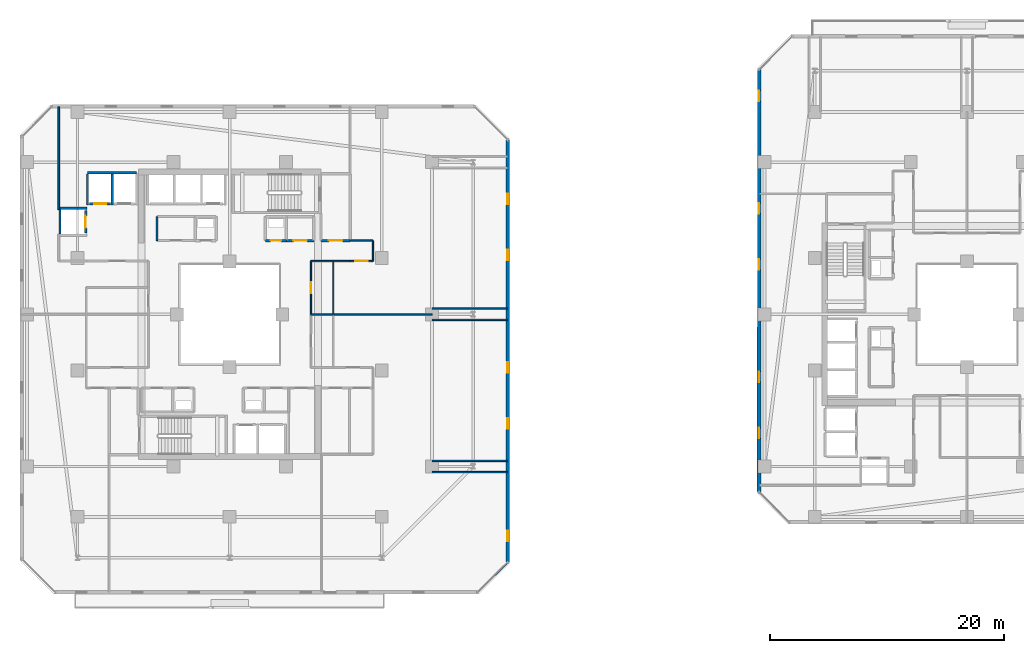
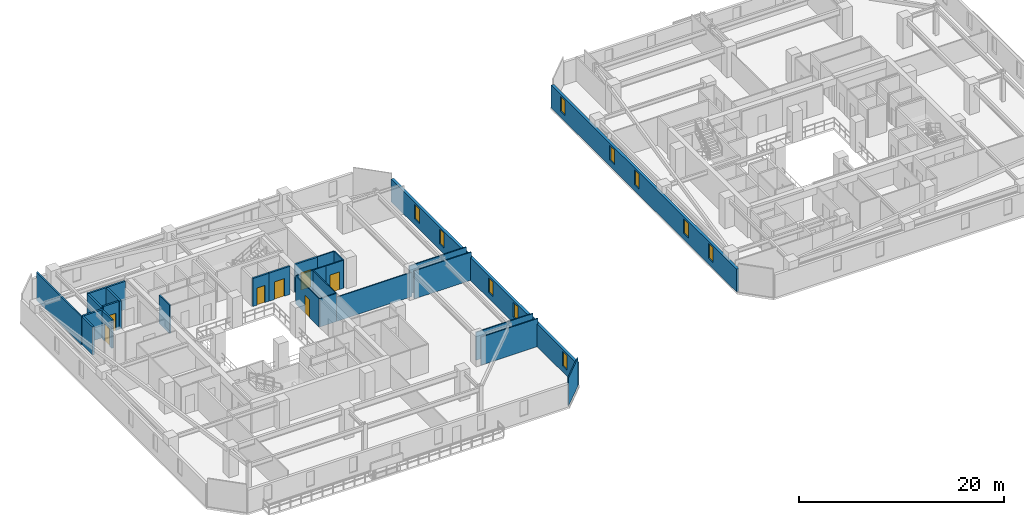
# One storey, part 21 of 33: 28 walls, 10 windows, 7 doors, 17 openings.
"""IFC4 building model written with IfcOpenShell, lengths in metres."""

from ifc_helpers import new_model, si_unit, direction, frame, frame_2d, origin, place, context, subcontext, project, spatial, rectangle, extrude, material, layer, layer_set, type_object, element, fill, save


model = new_model("IFC4")

# Units and contexts
model_context = context("Model", 3, precision=1e-05, world=origin(), true_north=direction((0.0, 1.0)))
body_context = subcontext(model_context, "Body", "Model", "MODEL_VIEW")
ifc_project = project(units=[si_unit("LENGTHUNIT", "METRE"), si_unit("AREAUNIT", "SQUARE_METRE"), si_unit("VOLUMEUNIT", "CUBIC_METRE"), si_unit("PLANEANGLEUNIT", "RADIAN"), si_unit("MASSUNIT", "GRAM", prefix="KILO")], contexts=[model_context])

# Site, building, storey
site_placement = place(None, origin())
site = spatial("IfcSite", under=ifc_project, at=site_placement, CompositionType="ELEMENT")
building_placement = place(site_placement, origin())
building = spatial("IfcBuilding", under=site, at=building_placement, Name="Thornwick Lancets Civic Towers", CompositionType="ELEMENT")
storey_placement = place(building_placement, frame((0.0, 0.0, 167.10009765625)))
storey = spatial("IfcBuildingStorey", under=building, at=storey_placement, Name="L44", CompositionType="ELEMENT", Elevation=167.10009765625)

# Wall, opening, door
ifc_material_1 = material(Name="Concrete blockwork C40/50", Category="masonry")
ifc_layer_1 = layer(ifc_material_1, 0.199951171875, Name="Concrete blockwork C40/50")
ifc_layer_set_1 = layer_set([ifc_layer_1], Name="Concrete blockwork C40/50")
wall_type_1 = type_object("IfcWallType", Name="WALL_COMP_200", PredefinedType="STANDARD", material=ifc_layer_set_1)
wall_1_placement = place(storey_placement, frame((15.320068359375, 36.449951171875, 0.0), z_axis=(0.0, 0.0, 1.0), x_axis=(-1.0, 0.0, 0.0)))
wall_1 = element("IfcWall", 1, at=wall_1_placement, inside=storey, type_object=wall_type_1, Name="L44 Hoistway Front Wall PL-AM2", PredefinedType="STANDARD", context=body_context, shape_type="SweptSolid", body=[
    extrude(rectangle(XDim=1.7900390625, YDim=0.199951171875, at=frame_2d((0.89501953125, 0.0))), origin(), (0.0, 0.0, 1.0), 3.33984375),
])
opening_1_placement = place(wall_1_placement, frame((0.385009765625, 0.0, 0.0)))
opening_1 = element("IfcOpeningElement", 2, at=opening_1_placement, cuts=wall_1, Name="Opening LD-PL-AM2", PredefinedType="OPENING", context=body_context, shape_type="SweptSolid", body=[
    extrude(rectangle(XDim=1.02001953125, YDim=2.06005859375, at=frame_2d((0.510009765625, 1.030029296875))), frame((0.0, 0.10986328125, 0.0), z_axis=(0.0, -1.0, 0.0), x_axis=(1.0, 0.0, 0.0)), (0.0, 0.0, 1.0), 0.219970703125),
])
ifc_material_2 = material(Name="Brushed bronze stainless steel", Category="steel")
door_type_1 = type_object("IfcDoorType", Name="DOOR_LIFT_SLIDE", OperationType="SLIDING_TO_LEFT", PredefinedType="DOOR", material=ifc_material_2)
door_1_placement = place(opening_1_placement, origin())
door_1 = element("IfcDoor", 3, at=door_1_placement, inside=storey, type_object=door_type_1, Name="L44 Sliding Lift Landing Door LD-PL-AM2", OperationType="SLIDING_TO_LEFT", OverallHeight=2.06005859375, OverallWidth=1.02001953125, PredefinedType="DOOR", context=body_context, shape_type="SweptSolid", body=[
    extrude(rectangle(XDim=1.02001953125, YDim=2.06005859375, at=frame_2d((0.510009765625, 1.030029296875))), frame((0.0, 0.02490234375, 0.0), z_axis=(0.0, -1.0, 0.0), x_axis=(1.0, 0.0, 0.0)), (0.0, 0.0, 1.0), 0.050048828125),
])
fill(opening_1, door_1)

wall_2_placement = place(storey_placement, frame((13.199951171875, 33.929931640625, 0.0), z_axis=(0.0, 0.0, 1.0), x_axis=(0.0, 1.0, 0.0)))
wall_2 = element("IfcWall", 4, at=wall_2_placement, inside=storey, type_object=wall_type_1, Name="L44 Hoistway Front Wall PL-AM3", PredefinedType="STANDARD", context=body_context, shape_type="SweptSolid", body=[
    extrude(rectangle(XDim=1.940185546875, YDim=0.199951171875, at=frame_2d((0.97021484375, 0.0))), origin(), (0.0, 0.0, 1.0), 3.33984375),
])
opening_2_placement = place(wall_2_placement, frame((0.4599609375, 0.0, 0.0)))
opening_2 = element("IfcOpeningElement", 5, at=opening_2_placement, cuts=wall_2, Name="Opening LD-PL-AM3", PredefinedType="OPENING", context=body_context, shape_type="SweptSolid", body=[
    extrude(rectangle(XDim=1.02001953125, YDim=2.06005859375, at=frame_2d((0.510009765625, 1.030029296875))), frame((0.0, 0.10986328125, 0.0), z_axis=(0.0, -1.0, 0.0), x_axis=(1.0, 0.0, 0.0)), (0.0, 0.0, 1.0), 0.219970703125),
])
door_2_placement = place(opening_2_placement, origin())
door_2 = element("IfcDoor", 6, at=door_2_placement, inside=storey, type_object=door_type_1, Name="L44 Sliding Lift Landing Door LD-PL-AM3", OperationType="SLIDING_TO_LEFT", OverallHeight=2.06005859375, OverallWidth=1.02001953125, PredefinedType="DOOR", context=body_context, shape_type="SweptSolid", body=[
    extrude(rectangle(XDim=1.02001953125, YDim=2.06005859375, at=frame_2d((0.510009765625, 1.030029296875))), frame((0.0, 0.02490234375, 0.0), z_axis=(0.0, -1.0, 0.0), x_axis=(1.0, 0.0, 0.0)), (0.0, 0.0, 1.0), 0.050048828125),
])
fill(opening_2, door_2)

# Walls
wall_3_placement = place(storey_placement, frame((13.35205078125, 39.10009765625, 0.0), z_axis=(0.0, 0.0, 1.0), x_axis=(1.0, 0.0, 0.0)))
element("IfcWall", 7, at=wall_3_placement, inside=storey, type_object=wall_type_1, Name="L44 Hoistway Shaft Wall PL-AM1 N", PredefinedType="STANDARD", context=body_context, shape_type="SweptSolid", body=[
    extrude(rectangle(XDim=4.196044921875, YDim=0.199951171875, at=frame_2d((2.09814453125, 0.0))), origin(), (0.0, 0.0, 1.0), 3.33984375),
])
for number, where, z_axis, x_axis, name in (
    (8, (15.47509765625, 36.35205078125, 0.0), (0.0, 0.0, 1.0), (0.0, 1.0, 0.0), "L44 Hoistway Shaft Wall PL-AM1 W"),
    (9, (13.35009765625, 36.35205078125, 0.0), (0.0, 0.0, 1.0), (0.0, 1.0, 0.0), "L44 Hoistway Shaft Wall PL-AM2 W"),
):
    element("IfcWall", number, at=place(storey_placement, frame(where, z_axis=z_axis, x_axis=x_axis)), inside=storey, type_object=wall_type_1, Name=name, PredefinedType="STANDARD", context=body_context, shape_type="SweptSolid", body=[
        extrude(rectangle(XDim=2.635986328125, YDim=0.199951171875, at=frame_2d((1.31787109375, 0.0))), origin(), (0.0, 0.0, 1.0), 3.33984375),
    ])
wall_4_placement = place(storey_placement, frame((11.001953125, 36.050048828125, 0.0), z_axis=(0.0, 0.0, 1.0), x_axis=(1.0, 0.0, 0.0)))
element("IfcWall", 10, at=wall_4_placement, inside=storey, type_object=wall_type_1, Name="L44 Hoistway Shaft Wall PL-AM3 N", PredefinedType="STANDARD", context=body_context, shape_type="SweptSolid", body=[
    extrude(rectangle(XDim=2.296142578125, YDim=0.199951171875, at=frame_2d((1.14794921875, 0.0))), origin(), (0.0, 0.0, 1.0), 3.33984375),
])
wall_5_placement = place(storey_placement, frame((11.0, 33.862060546875, 0.0), z_axis=(0.0, 0.0, 1.0), x_axis=(0.0, 1.0, 0.0)))
element("IfcWall", 11, at=wall_5_placement, inside=storey, type_object=wall_type_1, Name="L44 Hoistway Shaft Wall PL-AM3 W", PredefinedType="STANDARD", context=body_context, shape_type="SweptSolid", body=[
    extrude(rectangle(XDim=2.075927734375, YDim=0.199951171875, at=frame_2d((1.0380859375, 0.0))), origin(), (0.0, 0.0, 1.0), 3.33984375),
])

# Wall, opening, door
wall_6_placement = place(storey_placement, frame((33.300048828125, 33.300048828125, 0.0), z_axis=(0.0, 0.0, 1.0), x_axis=(1.0, 0.0, 0.0)))
wall_6 = element("IfcWall", 12, at=wall_6_placement, inside=storey, type_object=wall_type_1, Name="L44 Partition L44-A-FFLOB2 E1", PredefinedType="STANDARD", context=body_context, shape_type="SweptSolid", body=[
    extrude(rectangle(XDim=2.5, YDim=0.199951171875, at=frame_2d((1.25, 0.0))), origin(), (0.0, 0.0, 1.0), 3.33984375),
])
opening_3_placement = place(wall_6_placement, frame((0.675048828125, 0.0, 0.0)))
opening_3 = element("IfcOpeningElement", 13, at=opening_3_placement, cuts=wall_6, Name="Opening D-L44-1958", PredefinedType="OPENING", context=body_context, shape_type="SweptSolid", body=[
    extrude(rectangle(XDim=1.14990234375, YDim=2.10009765625, at=frame_2d((0.574951171875, 1.050048828125))), frame((0.0, 0.10986328125, 0.0), z_axis=(0.0, -1.0, 0.0), x_axis=(1.0, 0.0, 0.0)), (0.0, 0.0, 1.0), 0.219970703125),
])
ifc_material_3 = material(Name="Glazed fire-resisting steel", Category="steel")
door_type_2 = type_object("IfcDoorType", Name="DOOR_LOBBY_FD60", OperationType="NOTDEFINED", PredefinedType="DOOR", material=ifc_material_3)
door_3_placement = place(opening_3_placement, origin())
door_3 = element("IfcDoor", 14, at=door_3_placement, inside=storey, type_object=door_type_2, Name="L44 North Firefighting Lobby 2 Door", OperationType="SINGLE_SWING_LEFT", OverallHeight=2.10009765625, OverallWidth=1.14990234375, PredefinedType="DOOR", context=body_context, shape_type="SweptSolid", body=[
    extrude(rectangle(XDim=1.14990234375, YDim=2.10009765625, at=frame_2d((0.574951171875, 1.050048828125))), frame((0.0, 0.02490234375, 0.0), z_axis=(0.0, -1.0, 0.0), x_axis=(1.0, 0.0, 0.0)), (0.0, 0.0, 1.0), 0.050048828125),
])
fill(opening_3, door_3)

wall_7_placement = place(storey_placement, frame((28.550048828125, 33.300048828125, 0.0), z_axis=(0.0, 0.0, 1.0), x_axis=(1.0, 0.0, 0.0)))
wall_7 = element("IfcWall", 15, at=wall_7_placement, inside=storey, type_object=wall_type_1, Name="L44 Partition L44-A-RISER2 E1", PredefinedType="STANDARD", context=body_context, shape_type="SweptSolid", body=[
    extrude(rectangle(XDim=1.800048828125, YDim=0.199951171875, at=frame_2d((0.89990234375, 0.0))), origin(), (0.0, 0.0, 1.0), 3.33984375),
])
opening_4_placement = place(wall_7_placement, frame((0.4599609375, 0.0, 0.0)))
opening_4 = element("IfcOpeningElement", 16, at=opening_4_placement, cuts=wall_7, Name="Opening D-L44-1962", PredefinedType="OPENING", context=body_context, shape_type="SweptSolid", body=[
    extrude(rectangle(XDim=0.8798828125, YDim=2.0400390625, at=frame_2d((0.43994140625, 1.02001953125))), frame((0.0, 0.10986328125, 0.0), z_axis=(0.0, -1.0, 0.0), x_axis=(1.0, 0.0, 0.0)), (0.0, 0.0, 1.0), 0.219970703125),
])
ifc_material_4 = material(Name="Steel riser access doorset", Category="steel")
door_type_3 = type_object("IfcDoorType", Name="DOOR_RISER_850", OperationType="NOTDEFINED", PredefinedType="DOOR", material=ifc_material_4)
door_4_placement = place(opening_4_placement, origin())
door_4 = element("IfcDoor", 17, at=door_4_placement, inside=storey, type_object=door_type_3, Name="L44 North Service Riser 2 Door", OperationType="SINGLE_SWING_LEFT", OverallHeight=2.0400390625, OverallWidth=0.8798828125, PredefinedType="DOOR", context=body_context, shape_type="SweptSolid", body=[
    extrude(rectangle(XDim=0.8798828125, YDim=2.0400390625, at=frame_2d((0.43994140625, 1.02001953125))), frame((0.0, 0.02490234375, 0.0), z_axis=(0.0, -1.0, 0.0), x_axis=(1.0, 0.0, 0.0)), (0.0, 0.0, 1.0), 0.050048828125),
])
fill(opening_4, door_4)

wall_8_placement = place(storey_placement, frame((32.699951171875, 33.300048828125, 0.0), z_axis=(0.0, 0.0, 1.0), x_axis=(-1.0, 0.0, 0.0)))
wall_8 = element("IfcWall", 18, at=wall_8_placement, inside=storey, type_object=wall_type_1, Name="L44 Partition L44-A-STR E2", PredefinedType="STANDARD", context=body_context, shape_type="SweptSolid", body=[
    extrude(rectangle(XDim=2.349853515625, YDim=0.199951171875, at=frame_2d((1.1748046875, 0.0))), origin(), (0.0, 0.0, 1.0), 3.33984375),
])
opening_5_placement = place(wall_8_placement, frame((0.60009765625, 0.0, 0.0)))
opening_5 = element("IfcOpeningElement", 19, at=opening_5_placement, cuts=wall_8, Name="Opening D-L44-1967", PredefinedType="OPENING", context=body_context, shape_type="SweptSolid", body=[
    extrude(rectangle(XDim=1.14990234375, YDim=2.10009765625, at=frame_2d((0.574951171875, 1.050048828125))), frame((0.0, 0.10986328125, 0.0), z_axis=(0.0, -1.0, 0.0), x_axis=(1.0, 0.0, 0.0)), (0.0, 0.0, 1.0), 0.219970703125),
])
door_5_placement = place(opening_5_placement, origin())
door_5 = element("IfcDoor", 20, at=door_5_placement, inside=storey, type_object=door_type_2, Name="L44 Tower A Core Equipment Store Door", OperationType="SINGLE_SWING_RIGHT", OverallHeight=2.10009765625, OverallWidth=1.14990234375, PredefinedType="DOOR", context=body_context, shape_type="SweptSolid", body=[
    extrude(rectangle(XDim=1.14990234375, YDim=2.10009765625, at=frame_2d((0.574951171875, 1.050048828125))), frame((0.0, 0.02490234375, 0.0), z_axis=(0.0, -1.0, 0.0), x_axis=(1.0, 0.0, 0.0)), (0.0, 0.0, 1.0), 0.050048828125),
])
fill(opening_5, door_5)

# Wall, openings, windows
ifc_material_5 = material(Name="Insulated russet terracotta rainscreen on concrete C40/50", Category="masonry")
ifc_layer_2 = layer(ifc_material_5, 0.300048828125, Name="Insulated russet terracotta rainscreen on concrete C40/50")
ifc_layer_set_2 = layer_set([ifc_layer_2], Name="Insulated russet terracotta rainscreen on concrete C40/50")
wall_type_2 = type_object("IfcWallType", Name="WALL_EXT_RUSSET_300", PredefinedType="STANDARD", material=ifc_layer_set_2)
wall_9_placement = place(storey_placement, frame((49.2646484375, 5.818603515625, 0.0), z_axis=(0.0, 0.0, 1.0), x_axis=(-2.7061402e-05, 0.999999999634, 0.0)))
wall_9 = element("IfcWall", 21, at=wall_9_placement, inside=storey, type_object=wall_type_2, Name="L44 Tower A Terracotta Facade Wall E2", PredefinedType="STANDARD", context=body_context, shape_type="SweptSolid", body=[
    extrude(rectangle(XDim=36.0869140625, YDim=0.300048828125, at=frame_2d((18.04345703125, 0.0))), origin(), (0.0, 0.0, 1.0), 2.699951171875),
])
opening_6_placement = place(wall_9_placement, frame((1.800048828125, 0.0, 0.719970703125)))
opening_6 = element("IfcOpeningElement", 22, at=opening_6_placement, cuts=wall_9, Name="Opening WL-01", PredefinedType="OPENING", context=body_context, shape_type="SweptSolid", body=[
    extrude(rectangle(XDim=0.89990234375, YDim=1.75, at=frame_2d((0.449951171875, 0.875))), frame((0.0, 0.16015625, 0.0), z_axis=(0.0, -1.0, 0.0), x_axis=(1.0, 0.0, 0.0)), (0.0, 0.0, 1.0), 0.320068359375),
])
opening_7_placement = place(wall_9_placement, frame((11.39990234375, 0.0, 0.719970703125)))
opening_7 = element("IfcOpeningElement", 23, at=opening_7_placement, cuts=wall_9, Name="Opening WL-01", PredefinedType="OPENING", context=body_context, shape_type="SweptSolid", body=[
    extrude(rectangle(XDim=0.89990234375, YDim=1.75, at=frame_2d((0.449951171875, 0.875))), frame((0.0, 0.16015625, 0.0), z_axis=(0.0, -1.0, 0.0), x_axis=(1.0, 0.0, 0.0)), (0.0, 0.0, 1.0), 0.320068359375),
])
opening_8_placement = place(wall_9_placement, frame((16.199951171875, 0.0, 0.719970703125)))
opening_8 = element("IfcOpeningElement", 24, at=opening_8_placement, cuts=wall_9, Name="Opening WL-01", PredefinedType="OPENING", context=body_context, shape_type="SweptSolid", body=[
    extrude(rectangle(XDim=0.89990234375, YDim=1.75, at=frame_2d((0.449951171875, 0.875))), frame((0.0, 0.16015625, 0.0), z_axis=(0.0, -1.0, 0.0), x_axis=(1.0, 0.0, 0.0)), (0.0, 0.0, 1.0), 0.320068359375),
])
opening_9_placement = place(wall_9_placement, frame((25.800048828125, 0.0, 0.719970703125)))
opening_9 = element("IfcOpeningElement", 25, at=opening_9_placement, cuts=wall_9, Name="Opening WL-01", PredefinedType="OPENING", context=body_context, shape_type="SweptSolid", body=[
    extrude(rectangle(XDim=0.89990234375, YDim=1.75, at=frame_2d((0.449951171875, 0.875))), frame((0.0, 0.16015625, 0.0), z_axis=(0.0, -1.0, 0.0), x_axis=(1.0, 0.0, 0.0)), (0.0, 0.0, 1.0), 0.320068359375),
])
opening_10_placement = place(wall_9_placement, frame((30.60009765625, 0.0, 0.719970703125)))
opening_10 = element("IfcOpeningElement", 26, at=opening_10_placement, cuts=wall_9, Name="Opening WL-01", PredefinedType="OPENING", context=body_context, shape_type="SweptSolid", body=[
    extrude(rectangle(XDim=0.89990234375, YDim=1.75, at=frame_2d((0.449951171875, 0.875))), frame((0.0, 0.16015625, 0.0), z_axis=(0.0, -1.0, 0.0), x_axis=(1.0, 0.0, 0.0)), (0.0, 0.0, 1.0), 0.320068359375),
])
ifc_material_6 = material(Name="Clear low-e double glazing in bronze frame", Category="glass")
window_type = type_object("IfcWindowType", Name="WIN_LANCET_900", PartitioningType="SINGLE_PANEL", PredefinedType="WINDOW", material=ifc_material_6)
window_1_placement = place(opening_6_placement, origin())
window_1 = element("IfcWindow", 27, at=window_1_placement, inside=storey, type_object=window_type, Name="L44 Tower A Staggered Lancet Window E2-1", OverallHeight=1.75, OverallWidth=0.89990234375, PartitioningType="SINGLE_PANEL", PredefinedType="WINDOW", context=body_context, shape_type="SweptSolid", body=[
    extrude(rectangle(XDim=0.89990234375, YDim=1.75, at=frame_2d((0.449951171875, 0.875))), frame((0.0, 0.030029296875, 0.0), z_axis=(0.0, -1.0, 0.0), x_axis=(1.0, 0.0, 0.0)), (0.0, 0.0, 1.0), 0.06005859375),
])
fill(opening_6, window_1)
window_2_placement = place(opening_7_placement, origin())
window_2 = element("IfcWindow", 28, at=window_2_placement, inside=storey, type_object=window_type, Name="L44 Tower A Staggered Lancet Window E2-2", OverallHeight=1.75, OverallWidth=0.89990234375, PartitioningType="SINGLE_PANEL", PredefinedType="WINDOW", context=body_context, shape_type="SweptSolid", body=[
    extrude(rectangle(XDim=0.89990234375, YDim=1.75, at=frame_2d((0.449951171875, 0.875))), frame((0.0, 0.030029296875, 0.0), z_axis=(0.0, -1.0, 0.0), x_axis=(1.0, 0.0, 0.0)), (0.0, 0.0, 1.0), 0.06005859375),
])
fill(opening_7, window_2)
window_3_placement = place(opening_8_placement, origin())
window_3 = element("IfcWindow", 29, at=window_3_placement, inside=storey, type_object=window_type, Name="L44 Tower A Staggered Lancet Window E2-3", OverallHeight=1.75, OverallWidth=0.89990234375, PartitioningType="SINGLE_PANEL", PredefinedType="WINDOW", context=body_context, shape_type="SweptSolid", body=[
    extrude(rectangle(XDim=0.89990234375, YDim=1.75, at=frame_2d((0.449951171875, 0.875))), frame((0.0, 0.030029296875, 0.0), z_axis=(0.0, -1.0, 0.0), x_axis=(1.0, 0.0, 0.0)), (0.0, 0.0, 1.0), 0.06005859375),
])
fill(opening_8, window_3)
window_4_placement = place(opening_9_placement, origin())
window_4 = element("IfcWindow", 30, at=window_4_placement, inside=storey, type_object=window_type, Name="L44 Tower A Staggered Lancet Window E2-4", OverallHeight=1.75, OverallWidth=0.89990234375, PartitioningType="SINGLE_PANEL", PredefinedType="WINDOW", context=body_context, shape_type="SweptSolid", body=[
    extrude(rectangle(XDim=0.89990234375, YDim=1.75, at=frame_2d((0.449951171875, 0.875))), frame((0.0, 0.030029296875, 0.0), z_axis=(0.0, -1.0, 0.0), x_axis=(1.0, 0.0, 0.0)), (0.0, 0.0, 1.0), 0.06005859375),
])
fill(opening_9, window_4)
window_5_placement = place(opening_10_placement, origin())
window_5 = element("IfcWindow", 31, at=window_5_placement, inside=storey, type_object=window_type, Name="L44 Tower A Staggered Lancet Window E2-5", OverallHeight=1.75, OverallWidth=0.89990234375, PartitioningType="SINGLE_PANEL", PredefinedType="WINDOW", context=body_context, shape_type="SweptSolid", body=[
    extrude(rectangle(XDim=0.89990234375, YDim=1.75, at=frame_2d((0.449951171875, 0.875))), frame((0.0, 0.030029296875, 0.0), z_axis=(0.0, -1.0, 0.0), x_axis=(1.0, 0.0, 0.0)), (0.0, 0.0, 1.0), 0.06005859375),
])
fill(opening_10, window_5)

wall_10_placement = place(storey_placement, frame((70.736328125, 47.905517578125, 0.0), z_axis=(0.0, 0.0, 1.0), x_axis=(-2.7061402e-05, -0.999999999634, 0.0)))
wall_10 = element("IfcWall", 32, at=wall_10_placement, inside=storey, type_object=wall_type_2, Name="L44 Tower B Terracotta Facade Wall E6", PredefinedType="STANDARD", context=body_context, shape_type="SweptSolid", body=[
    extrude(rectangle(XDim=36.0869140625, YDim=0.300048828125, at=frame_2d((18.04345703125, 0.0))), origin(), (0.0, 0.0, 1.0), 2.699951171875),
])
opening_11_placement = place(wall_10_placement, frame((1.800048828125, 0.0, 0.719970703125)))
opening_11 = element("IfcOpeningElement", 33, at=opening_11_placement, cuts=wall_10, Name="Opening WL-01", PredefinedType="OPENING", context=body_context, shape_type="SweptSolid", body=[
    extrude(rectangle(XDim=0.89990234375, YDim=1.75, at=frame_2d((0.449951171875, 0.875))), frame((0.0, 0.16015625, 0.0), z_axis=(0.0, -1.0, 0.0), x_axis=(1.0, 0.0, 0.0)), (0.0, 0.0, 1.0), 0.320068359375),
])
opening_12_placement = place(wall_10_placement, frame((11.39990234375, 0.0, 0.719970703125)))
opening_12 = element("IfcOpeningElement", 34, at=opening_12_placement, cuts=wall_10, Name="Opening WL-01", PredefinedType="OPENING", context=body_context, shape_type="SweptSolid", body=[
    extrude(rectangle(XDim=0.89990234375, YDim=1.75, at=frame_2d((0.449951171875, 0.875))), frame((0.0, 0.16015625, 0.0), z_axis=(0.0, -1.0, 0.0), x_axis=(1.0, 0.0, 0.0)), (0.0, 0.0, 1.0), 0.320068359375),
])
opening_13_placement = place(wall_10_placement, frame((16.199951171875, 0.0, 0.719970703125)))
opening_13 = element("IfcOpeningElement", 35, at=opening_13_placement, cuts=wall_10, Name="Opening WL-01", PredefinedType="OPENING", context=body_context, shape_type="SweptSolid", body=[
    extrude(rectangle(XDim=0.89990234375, YDim=1.75, at=frame_2d((0.449951171875, 0.875))), frame((0.0, 0.16015625, 0.0), z_axis=(0.0, -1.0, 0.0), x_axis=(1.0, 0.0, 0.0)), (0.0, 0.0, 1.0), 0.320068359375),
])
opening_14_placement = place(wall_10_placement, frame((25.800048828125, 0.0, 0.719970703125)))
opening_14 = element("IfcOpeningElement", 36, at=opening_14_placement, cuts=wall_10, Name="Opening WL-01", PredefinedType="OPENING", context=body_context, shape_type="SweptSolid", body=[
    extrude(rectangle(XDim=0.89990234375, YDim=1.75, at=frame_2d((0.449951171875, 0.875))), frame((0.0, 0.16015625, 0.0), z_axis=(0.0, -1.0, 0.0), x_axis=(1.0, 0.0, 0.0)), (0.0, 0.0, 1.0), 0.320068359375),
])
opening_15_placement = place(wall_10_placement, frame((30.60009765625, 0.0, 0.719970703125)))
opening_15 = element("IfcOpeningElement", 37, at=opening_15_placement, cuts=wall_10, Name="Opening WL-01", PredefinedType="OPENING", context=body_context, shape_type="SweptSolid", body=[
    extrude(rectangle(XDim=0.89990234375, YDim=1.75, at=frame_2d((0.449951171875, 0.875))), frame((0.0, 0.16015625, 0.0), z_axis=(0.0, -1.0, 0.0), x_axis=(1.0, 0.0, 0.0)), (0.0, 0.0, 1.0), 0.320068359375),
])
window_6_placement = place(opening_11_placement, origin())
window_6 = element("IfcWindow", 38, at=window_6_placement, inside=storey, type_object=window_type, Name="L44 Tower B Staggered Lancet Window E6-1", OverallHeight=1.75, OverallWidth=0.89990234375, PartitioningType="SINGLE_PANEL", PredefinedType="WINDOW", context=body_context, shape_type="SweptSolid", body=[
    extrude(rectangle(XDim=0.89990234375, YDim=1.75, at=frame_2d((0.449951171875, 0.875))), frame((0.0, 0.030029296875, 0.0), z_axis=(0.0, -1.0, 0.0), x_axis=(1.0, 0.0, 0.0)), (0.0, 0.0, 1.0), 0.06005859375),
])
fill(opening_11, window_6)
window_7_placement = place(opening_12_placement, origin())
window_7 = element("IfcWindow", 39, at=window_7_placement, inside=storey, type_object=window_type, Name="L44 Tower B Staggered Lancet Window E6-2", OverallHeight=1.75, OverallWidth=0.89990234375, PartitioningType="SINGLE_PANEL", PredefinedType="WINDOW", context=body_context, shape_type="SweptSolid", body=[
    extrude(rectangle(XDim=0.89990234375, YDim=1.75, at=frame_2d((0.449951171875, 0.875))), frame((0.0, 0.030029296875, 0.0), z_axis=(0.0, -1.0, 0.0), x_axis=(1.0, 0.0, 0.0)), (0.0, 0.0, 1.0), 0.06005859375),
])
fill(opening_12, window_7)
window_8_placement = place(opening_13_placement, origin())
window_8 = element("IfcWindow", 40, at=window_8_placement, inside=storey, type_object=window_type, Name="L44 Tower B Staggered Lancet Window E6-3", OverallHeight=1.75, OverallWidth=0.89990234375, PartitioningType="SINGLE_PANEL", PredefinedType="WINDOW", context=body_context, shape_type="SweptSolid", body=[
    extrude(rectangle(XDim=0.89990234375, YDim=1.75, at=frame_2d((0.449951171875, 0.875))), frame((0.0, 0.030029296875, 0.0), z_axis=(0.0, -1.0, 0.0), x_axis=(1.0, 0.0, 0.0)), (0.0, 0.0, 1.0), 0.06005859375),
])
fill(opening_13, window_8)
window_9_placement = place(opening_14_placement, origin())
window_9 = element("IfcWindow", 41, at=window_9_placement, inside=storey, type_object=window_type, Name="L44 Tower B Staggered Lancet Window E6-4", OverallHeight=1.75, OverallWidth=0.89990234375, PartitioningType="SINGLE_PANEL", PredefinedType="WINDOW", context=body_context, shape_type="SweptSolid", body=[
    extrude(rectangle(XDim=0.89990234375, YDim=1.75, at=frame_2d((0.449951171875, 0.875))), frame((0.0, 0.030029296875, 0.0), z_axis=(0.0, -1.0, 0.0), x_axis=(1.0, 0.0, 0.0)), (0.0, 0.0, 1.0), 0.06005859375),
])
fill(opening_14, window_9)
window_10_placement = place(opening_15_placement, origin())
window_10 = element("IfcWindow", 42, at=window_10_placement, inside=storey, type_object=window_type, Name="L44 Tower B Staggered Lancet Window E6-5", OverallHeight=1.75, OverallWidth=0.89990234375, PartitioningType="SINGLE_PANEL", PredefinedType="WINDOW", context=body_context, shape_type="SweptSolid", body=[
    extrude(rectangle(XDim=0.89990234375, YDim=1.75, at=frame_2d((0.449951171875, 0.875))), frame((0.0, 0.030029296875, 0.0), z_axis=(0.0, -1.0, 0.0), x_axis=(1.0, 0.0, 0.0)), (0.0, 0.0, 1.0), 0.06005859375),
])
fill(opening_15, window_10)

# Walls
ifc_material_7 = material(Name="Acoustic gypsum board partition")
ifc_layer_3 = layer(ifc_material_7, 0.1201171875, Name="Acoustic gypsum board partition")
ifc_layer_set_3 = layer_set([ifc_layer_3], Name="Acoustic gypsum board partition")
wall_type_3 = type_object("IfcWallType", Name="WALL_PART_120", PredefinedType="PARTITIONING", material=ifc_layer_set_3)
wall_11_placement = place(storey_placement, frame((32.449951171875, 27.0, 0.0), z_axis=(0.0, 0.0, 1.0), x_axis=(1.0, 0.0, 0.0)))
element("IfcWall", 43, at=wall_11_placement, inside=storey, type_object=wall_type_3, Name="L44 Partition L44-A-E1 E2", PredefinedType="PARTITIONING", context=body_context, shape_type="SweptSolid", body=[
    extrude(rectangle(XDim=1.900146484375, YDim=0.1201171875, at=frame_2d((0.9501953125, 0.0))), origin(), (0.0, 0.0, 1.0), 3.33984375),
])
wall_12_placement = place(storey_placement, frame((34.35009765625, 27.0, 0.0), z_axis=(0.0, 0.0, 1.0), x_axis=(1.0, 0.0, 0.0)))
element("IfcWall", 44, at=wall_12_placement, inside=storey, type_object=wall_type_3, Name="L44 Partition L44-A-E2 E9", PredefinedType="PARTITIONING", context=body_context, shape_type="SweptSolid", body=[
    extrude(rectangle(XDim=8.449951171875, YDim=0.1201171875, at=frame_2d((4.22509765625, 0.0))), origin(), (0.0, 0.0, 1.0), 2.881591796875),
])
for number, where, z_axis, x_axis, name in (
    (45, (42.800048828125, 26.52001953125, 0.0), (0.0, 0.0, 1.0), (1.0, 0.0, 0.0), "L44 Partition L44-A-E2 E11"),
    (46, (49.219970703125, 14.47998046875, 0.0), (0.0, 0.0, 1.0), (-1.0, 0.0, 0.0), "L44 Partition L44-A-E2 E13"),
    (47, (42.800048828125, 13.52001953125, 0.0), (0.0, 0.0, 1.0), (1.0, 0.0, 0.0), "L44 Partition L44-A-E2 E15"),
):
    element("IfcWall", number, at=place(storey_placement, frame(where, z_axis=z_axis, x_axis=x_axis)), inside=storey, type_object=wall_type_3, Name=name, PredefinedType="PARTITIONING", context=body_context, shape_type="SweptSolid", body=[
        extrude(rectangle(XDim=6.419921875, YDim=0.1201171875, at=frame_2d((3.2099609375, 0.0))), origin(), (0.0, 0.0, 1.0), 3.33984375),
    ])
wall_13_placement = place(storey_placement, frame((49.219970703125, 5.774658203125, 0.0), z_axis=(0.0, 0.0, 1.0), x_axis=(-0.707106781187, -0.707106781187, 0.0)))
element("IfcWall", 48, at=wall_13_placement, inside=storey, type_object=wall_type_3, Name="L44 Partition L44-A-E2 E17", PredefinedType="PARTITIONING", context=body_context, shape_type="SweptSolid", body=[
    extrude(rectangle(XDim=3.52783203125, YDim=0.1201171875, at=frame_2d((1.763916015625, 0.0))), origin(), (0.0, 0.0, 1.0), 3.33984375),
])

# Wall, opening, door
wall_14_placement = place(storey_placement, frame((32.449951171875, 27.0, 0.0), z_axis=(0.0, 0.0, 1.0), x_axis=(0.0, 1.0, 0.0)))
wall_14 = element("IfcWall", 49, at=wall_14_placement, inside=storey, type_object=wall_type_3, Name="L44 Partition L44-A-E3 E1", PredefinedType="PARTITIONING", context=body_context, shape_type="SweptSolid", body=[
    extrude(rectangle(XDim=4.550048828125, YDim=0.1201171875, at=frame_2d((2.27490234375, 0.0))), origin(), (0.0, 0.0, 1.0), 3.33984375),
])
opening_16_placement = place(wall_14_placement, frame((1.800048828125, 0.0, 0.0)))
opening_16 = element("IfcOpeningElement", 50, at=opening_16_placement, cuts=wall_14, Name="Opening D-L44-1987", PredefinedType="OPENING", context=body_context, shape_type="SweptSolid", body=[
    extrude(rectangle(XDim=0.949951171875, YDim=2.10009765625, at=frame_2d((0.47509765625, 1.050048828125))), frame((0.0, 0.070068359375, 0.0), z_axis=(0.0, -1.0, 0.0), x_axis=(1.0, 0.0, 0.0)), (0.0, 0.0, 1.0), 0.14013671875),
])
ifc_material_8 = material(Name="European oak acoustic doorset")
door_type_4 = type_object("IfcDoorType", Name="DOOR_OFFICE_950", OperationType="NOTDEFINED", PredefinedType="DOOR", material=ifc_material_8)
door_6_placement = place(opening_16_placement, origin())
door_6 = element("IfcDoor", 51, at=door_6_placement, inside=storey, type_object=door_type_4, Name="L44 Tower A Civic Seminar Room Door", OperationType="SINGLE_SWING_RIGHT", OverallHeight=2.10009765625, OverallWidth=0.949951171875, PredefinedType="DOOR", context=body_context, shape_type="SweptSolid", body=[
    extrude(rectangle(XDim=0.949951171875, YDim=2.10009765625, at=frame_2d((0.47509765625, 1.050048828125))), frame((0.0, 0.02490234375, 0.0), z_axis=(0.0, -1.0, 0.0), x_axis=(1.0, 0.0, 0.0)), (0.0, 0.0, 1.0), 0.050048828125),
])
fill(opening_16, door_6)

# Walls
wall_15_placement = place(storey_placement, frame((32.449951171875, 31.550048828125, 0.0), z_axis=(0.0, 0.0, 1.0), x_axis=(1.0, 0.0, 0.0)))
element("IfcWall", 52, at=wall_15_placement, inside=storey, type_object=wall_type_3, Name="L44 Partition L44-A-E3 E2", PredefinedType="PARTITIONING", context=body_context, shape_type="SweptSolid", body=[
    extrude(rectangle(XDim=1.900146484375, YDim=0.1201171875, at=frame_2d((0.9501953125, 0.0))), origin(), (0.0, 0.0, 1.0), 3.33984375),
])
wall_16_placement = place(storey_placement, frame((34.35009765625, 31.550048828125, 0.0), z_axis=(0.0, 0.0, 1.0), x_axis=(0.0, -1.0, 0.0)))
element("IfcWall", 53, at=wall_16_placement, inside=storey, type_object=wall_type_3, Name="L44 Partition L44-A-E3 E3", PredefinedType="PARTITIONING", context=body_context, shape_type="SweptSolid", body=[
    extrude(rectangle(XDim=4.550048828125, YDim=0.1201171875, at=frame_2d((2.27490234375, 0.0))), origin(), (0.0, 0.0, 1.0), 3.33984375),
])
wall_17_placement = place(storey_placement, frame((34.35009765625, 31.550048828125, 0.0), z_axis=(0.0, 0.0, 1.0), x_axis=(1.0, 0.0, 0.0)))
element("IfcWall", 54, at=wall_17_placement, inside=storey, type_object=wall_type_3, Name="L44 Partition L44-A-E4 E1", PredefinedType="PARTITIONING", context=body_context, shape_type="SweptSolid", body=[
    extrude(rectangle(XDim=1.449951171875, YDim=0.1201171875, at=frame_2d((0.72509765625, 0.0))), origin(), (0.0, 0.0, 1.0), 3.33984375),
])

# Wall, opening, door
wall_18_placement = place(storey_placement, frame((35.800048828125, 31.550048828125, 0.0), z_axis=(0.0, 0.0, 1.0), x_axis=(1.0, 0.0, 0.0)))
wall_18 = element("IfcWall", 55, at=wall_18_placement, inside=storey, type_object=wall_type_3, Name="L44 Partition L44-A-E4 E2", PredefinedType="PARTITIONING", context=body_context, shape_type="SweptSolid", body=[
    extrude(rectangle(XDim=1.949951171875, YDim=0.1201171875, at=frame_2d((0.97509765625, 0.0))), origin(), (0.0, 0.0, 1.0), 3.33984375),
])
opening_17_placement = place(wall_18_placement, frame((0.449951171875, 0.0, 0.0)))
opening_17 = element("IfcOpeningElement", 56, at=opening_17_placement, cuts=wall_18, Name="Opening D-L44-1988", PredefinedType="OPENING", context=body_context, shape_type="SweptSolid", body=[
    extrude(rectangle(XDim=1.050048828125, YDim=2.10009765625, at=frame_2d((0.52490234375, 1.050048828125))), frame((0.0, 0.070068359375, 0.0), z_axis=(0.0, -1.0, 0.0), x_axis=(1.0, 0.0, 0.0)), (0.0, 0.0, 1.0), 0.14013671875),
])
ifc_material_9 = material(Name="Glazed European oak executive doorset")
door_type_5 = type_object("IfcDoorType", Name="DOOR_OFFICE_1050", OperationType="NOTDEFINED", PredefinedType="DOOR", material=ifc_material_9)
door_7_placement = place(opening_17_placement, origin())
door_7 = element("IfcDoor", 57, at=door_7_placement, inside=storey, type_object=door_type_5, Name="L44 Tower A Counsel Chambers Office E4 Door", OperationType="SINGLE_SWING_LEFT", OverallHeight=2.10009765625, OverallWidth=1.050048828125, PredefinedType="DOOR", context=body_context, shape_type="SweptSolid", body=[
    extrude(rectangle(XDim=1.050048828125, YDim=2.10009765625, at=frame_2d((0.52490234375, 1.050048828125))), frame((0.0, 0.02490234375, 0.0), z_axis=(0.0, -1.0, 0.0), x_axis=(1.0, 0.0, 0.0)), (0.0, 0.0, 1.0), 0.050048828125),
])
fill(opening_17, door_7)

# Walls
wall_19_placement = place(storey_placement, frame((37.75, 31.550048828125, 0.0), z_axis=(0.0, 0.0, 1.0), x_axis=(0.0, 1.0, 0.0)))
element("IfcWall", 58, at=wall_19_placement, inside=storey, type_object=wall_type_3, Name="L44 Partition L44-A-E4 E3", PredefinedType="PARTITIONING", context=body_context, shape_type="SweptSolid", body=[
    extrude(rectangle(XDim=1.75, YDim=0.1201171875, at=frame_2d((0.875, 0.0))), origin(), (0.0, 0.0, 1.0), 3.33984375),
])
wall_20_placement = place(storey_placement, frame((37.75, 33.300048828125, 0.0), z_axis=(0.0, 0.0, 1.0), x_axis=(-1.0, 0.0, 0.0)))
element("IfcWall", 59, at=wall_20_placement, inside=storey, type_object=wall_type_3, Name="L44 Partition L44-A-E4 E4", PredefinedType="PARTITIONING", context=body_context, shape_type="SweptSolid", body=[
    extrude(rectangle(XDim=1.949951171875, YDim=0.1201171875, at=frame_2d((0.97509765625, 0.0))), origin(), (0.0, 0.0, 1.0), 3.33984375),
])
wall_21_placement = place(storey_placement, frame((49.219970703125, 27.47998046875, 0.0), z_axis=(0.0, 0.0, 1.0), x_axis=(-1.0, 0.0, 0.0)))
element("IfcWall", 60, at=wall_21_placement, inside=storey, type_object=wall_type_3, Name="L44 Partition L44-A-E4 E18", PredefinedType="PARTITIONING", context=body_context, shape_type="SweptSolid", body=[
    extrude(rectangle(XDim=6.419921875, YDim=0.1201171875, at=frame_2d((3.2099609375, 0.0))), origin(), (0.0, 0.0, 1.0), 3.33984375),
])
ifc_material_10 = material(Name="Twin-stud acoustic gypsum board")
ifc_layer_4 = layer(ifc_material_10, 0.14990234375, Name="Twin-stud acoustic gypsum board")
ifc_layer_set_4 = layer_set([ifc_layer_4], Name="Twin-stud acoustic gypsum board")
wall_type_4 = type_object("IfcWallType", Name="WALL_PART_150", PredefinedType="PARTITIONING", material=ifc_layer_set_4)
wall_22_placement = place(storey_placement, frame((19.300048828125, 33.300048828125, 0.0), z_axis=(0.0, 0.0, 1.0), x_axis=(0.0, 1.0, 0.0)))
element("IfcWall", 61, at=wall_22_placement, inside=storey, type_object=wall_type_4, Name="L44 Partition L44-A-FWC E1", PredefinedType="PARTITIONING", context=body_context, shape_type="SweptSolid", body=[
    extrude(rectangle(XDim=2.050048828125, YDim=0.14990234375, at=frame_2d((1.02490234375, 0.0))), origin(), (0.0, 0.0, 1.0), 3.33984375),
])
wall_23_placement = place(storey_placement, frame((10.89990234375, 44.719970703125, 0.0), z_axis=(0.0, 0.0, 1.0), x_axis=(0.0, -1.0, 0.0)))
element("IfcWall", 62, at=wall_23_placement, inside=storey, type_object=wall_type_4, Name="L44 Partition L44-A-W4 E9", PredefinedType="PARTITIONING", context=body_context, shape_type="SweptSolid", body=[
    extrude(rectangle(XDim=8.781982421875, YDim=0.14990234375, at=frame_2d((4.39111328125, 0.0))), origin(), (0.0, 0.0, 1.0), 3.33984375),
])

save(model, "model.ifc")
